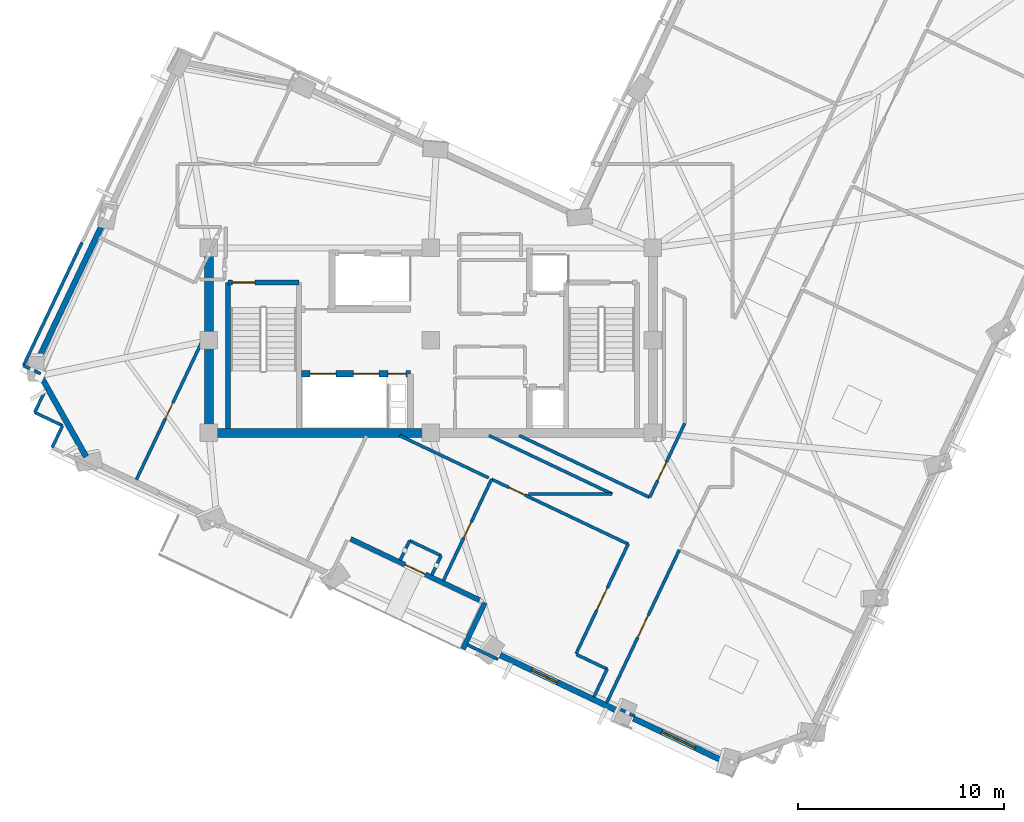
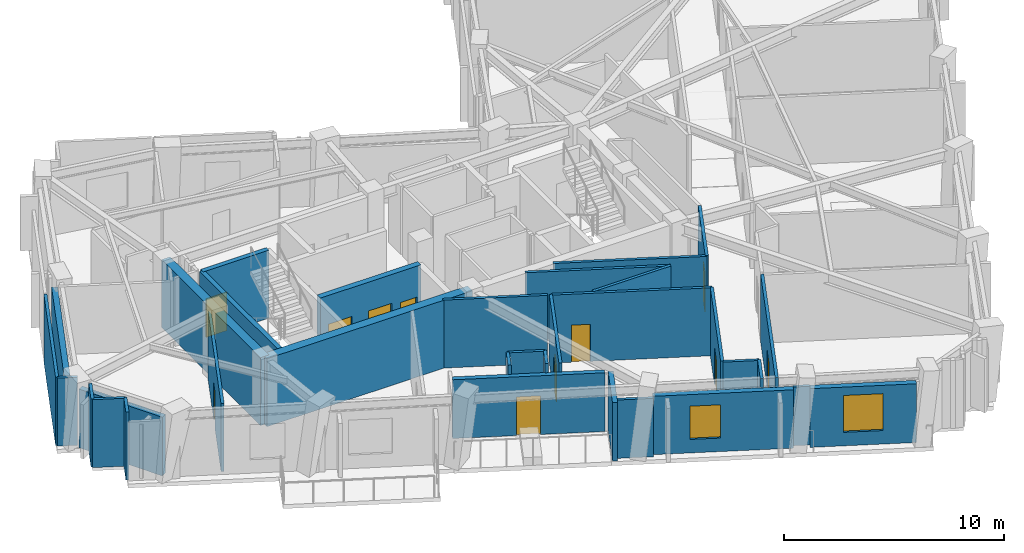
# One storey, part 5 of 13: 33 walls, 11 doors, 2 windows, 13 openings.
"""IFC4 building model written with IfcOpenShell, lengths in metres."""

from ifc_helpers import new_model, si_unit, direction, frame, frame_2d, origin, place, context, subcontext, project, spatial, rectangle, extrude, material, layer, layer_set, type_object, element, fill, save


model = new_model("IFC4")

# Units and contexts
model_context = context("Model", 3, precision=1e-05, world=origin(), true_north=direction((0.0, 1.0)))
body_context = subcontext(model_context, "Body", "Model", "MODEL_VIEW")
ifc_project = project(units=[si_unit("LENGTHUNIT", "METRE"), si_unit("AREAUNIT", "SQUARE_METRE"), si_unit("VOLUMEUNIT", "CUBIC_METRE"), si_unit("PLANEANGLEUNIT", "RADIAN"), si_unit("MASSUNIT", "GRAM", prefix="KILO")], contexts=[model_context])

# Site, building, storey
site_placement = place(None, origin())
site = spatial("IfcSite", under=ifc_project, at=site_placement, CompositionType="ELEMENT")
building_placement = place(site_placement, origin())
building = spatial("IfcBuilding", under=site, at=building_placement, Name="Gaonmaruhae Medical Tower", CompositionType="ELEMENT")
storey_placement = place(building_placement, frame((0.0, 0.0, 300.60009765625)))
storey = spatial("IfcBuildingStorey", under=building, at=storey_placement, Name="L72", CompositionType="ELEMENT", Elevation=300.60009765625)

# Walls
ifc_material_1 = material(Name="Concrete C50/60", Category="concrete")
ifc_layer_1 = layer(ifc_material_1, 0.449951171875)
ifc_layer_set_1 = layer_set([ifc_layer_1], Name="Concrete C50/60")
wall_type_1 = type_object("IfcWallType", Name="CW-450 Upper Core Shear Wall", PredefinedType="SHEAR", material=ifc_layer_set_1)
wall_1_placement = place(storey_placement, frame((14.0, 7.800048828125, 0.0), z_axis=(0.0, 0.0, 1.0), x_axis=(1.0, 0.0, 0.0)))
element("IfcWall", 1, at=wall_1_placement, inside=storey, type_object=wall_type_1, Name="L72 Core Shear Wall CSW-S1", PredefinedType="SHEAR", context=body_context, shape_type="SweptSolid", body=[
    extrude(rectangle(XDim=10.800048828125, YDim=0.449951171875, at=frame_2d((5.39990234375, 0.0))), origin(), (0.0, 0.0, 1.0), 3.77978515625),
])
wall_2_placement = place(storey_placement, frame((14.0, 16.800048828125, 0.0), z_axis=(0.0, 0.0, 1.0), x_axis=(0.0, -1.0, 0.0)))
element("IfcWall", 2, at=wall_2_placement, inside=storey, type_object=wall_type_1, Name="L72 Core Shear Wall CSW-W1", PredefinedType="SHEAR", context=body_context, shape_type="SweptSolid", body=[
    extrude(rectangle(XDim=9.0, YDim=0.449951171875, at=frame_2d((4.5, 0.0))), origin(), (0.0, 0.0, 1.0), 3.77978515625),
])

# Wall, opening, door
ifc_material_2 = material(Name="Precast concrete C45/55", Category="concrete")
ifc_layer_2 = layer(ifc_material_2, 0.239990234375)
ifc_layer_set_2 = layer_set([ifc_layer_2], Name="Precast concrete C45/55")
wall_type_2 = type_object("IfcWallType", Name="EW-240 Ribbon & Shelter Insulated Precast Wall", PredefinedType="SOLIDWALL", material=ifc_layer_set_2)
wall_3_placement = place(storey_placement, frame((27.177978515625, -0.3349609375, 0.0), z_axis=(0.0, 0.0, 1.0), x_axis=(-0.903341048246, 0.428923012385, 0.0)))
wall_3 = element("IfcWall", 3, at=wall_3_placement, inside=storey, type_object=wall_type_2, Name="L72 Recessed Terrace Enclosure Wall TERB", PredefinedType="SOLIDWALL", context=body_context, shape_type="SweptSolid", body=[
    extrude(rectangle(XDim=6.960205078125, YDim=0.239990234375, at=frame_2d((3.47998046875, 0.0))), origin(), (0.0, 0.0, 1.0), 3.264892578125),
])
opening_1_placement = place(wall_3_placement, frame((2.929931640625, 0.0, 0.0)))
opening_1 = element("IfcOpeningElement", 4, at=opening_1_placement, cuts=wall_3, Name="Opening TD-01", PredefinedType="OPENING", context=body_context, shape_type="SweptSolid", body=[
    extrude(rectangle(XDim=1.10009765625, YDim=2.14990234375, at=frame_2d((0.550048828125, 1.074951171875))), frame((0.0, 0.1298828125, 0.0), z_axis=(0.0, -1.0, 0.0), x_axis=(1.0, 0.0, 0.0)), (0.0, 0.0, 1.0), 0.260009765625),
])
ifc_material_3 = material(Name="Anodised aluminium and toughened safety glass", Category="aluminium")
door_type_1 = type_object("IfcDoorType", Name="TD-01 Terrace & Sky Garden Glazed Door 1100x2150", OperationType="NOTDEFINED", PredefinedType="DOOR", material=ifc_material_3)
door_1_placement = place(opening_1_placement, origin())
door_1 = element("IfcDoor", 5, at=door_1_placement, inside=storey, type_object=door_type_1, Name="L72 Outdoor Terrace Access Door SLB-L72-TER", OperationType="SINGLE_SWING_LEFT", OverallHeight=2.14990234375, OverallWidth=1.10009765625, PredefinedType="DOOR", context=body_context, shape_type="SweptSolid", body=[
    extrude(rectangle(XDim=1.10009765625, YDim=2.14990234375, at=frame_2d((0.550048828125, 1.074951171875))), frame((0.0, 0.02490234375, 0.0), z_axis=(0.0, -1.0, 0.0), x_axis=(1.0, 0.0, 0.0)), (0.0, 0.0, 1.0), 0.050048828125),
])
fill(opening_1, door_1)

# Walls
wall_4_placement = place(storey_placement, frame((26.3583984375, -2.71337890625, 0.0), z_axis=(0.0, 0.0, 1.0), x_axis=(0.428997055532, 0.903305887474, 0.0)))
element("IfcWall", 6, at=wall_4_placement, inside=storey, type_object=wall_type_2, Name="L72 Recessed Terrace Enclosure Wall TERL", PredefinedType="SOLIDWALL", context=body_context, shape_type="SweptSolid", body=[
    extrude(rectangle(XDim=2.5, YDim=0.239990234375, at=frame_2d((1.25, 0.0))), origin(), (0.0, 0.0, 1.0), 3.264892578125),
])
ifc_layer_3 = layer(ifc_material_2, 0.280029296875)
ifc_layer_set_3 = layer_set([ifc_layer_3], Name="Precast concrete C45/55")
wall_type_3 = type_object("IfcWallType", Name="EW-280 Upper Precast Masonry-Frame Facade Wall", PredefinedType="SOLIDWALL", material=ifc_layer_set_3)
wall_5_placement = place(storey_placement, frame((5.62060546875, 11.22021484375, 0.0), z_axis=(0.0, 0.0, 1.0), x_axis=(0.428933056581, 0.903336279008, 0.0)))
element("IfcWall", 7, at=wall_5_placement, inside=storey, type_object=wall_type_3, Name="L72 Precast Masonry-Frame Wall N02-N03", PredefinedType="SOLIDWALL", context=body_context, shape_type="SweptSolid", body=[
    extrude(rectangle(XDim=7.484619140625, YDim=0.280029296875, at=frame_2d((3.7421875, 0.0))), origin(), (0.0, 0.0, 1.0), 3.264892578125),
])
wall_6_placement = place(storey_placement, frame((8.02734375, 6.6435546875, 0.0), z_axis=(0.0, 0.0, 1.0), x_axis=(-0.490647729697, 0.871358023629, 0.0)))
element("IfcWall", 8, at=wall_6_placement, inside=storey, type_object=wall_type_3, Name="L72 Precast Masonry-Frame Wall N03-W01", PredefinedType="SOLIDWALL", context=body_context, shape_type="SweptSolid", body=[
    extrude(rectangle(XDim=4.408203125, YDim=0.280029296875, at=frame_2d((2.2041015625, 0.0))), origin(), (0.0, 0.0, 1.0), 3.264892578125),
])

# Wall, opening, window
wall_7_placement = place(storey_placement, frame((33.971923828125, -5.763916015625, 0.0), z_axis=(0.0, 0.0, 1.0), x_axis=(-0.903338978673, 0.42892737102, 0.0)))
wall_7 = element("IfcWall", 9, at=wall_7_placement, inside=storey, type_object=wall_type_3, Name="L72 Precast Masonry-Frame Wall W04-W05", PredefinedType="SOLIDWALL", context=body_context, shape_type="SweptSolid", body=[
    extrude(rectangle(XDim=6.425048828125, YDim=0.280029296875, at=frame_2d((3.21240234375, 0.0))), origin(), (0.0, 0.0, 1.0), 3.244873046875),
])
opening_2_placement = place(wall_7_placement, frame((3.33203125, 0.0, 0.75)))
opening_2 = element("IfcOpeningElement", 10, at=opening_2_placement, cuts=wall_7, Name="Opening WN-03", PredefinedType="OPENING", context=body_context, shape_type="SweptSolid", body=[
    extrude(rectangle(XDim=1.39990234375, YDim=1.85009765625, at=frame_2d((0.699951171875, 0.925048828125))), frame((0.0, 0.14990234375, 0.0), z_axis=(0.0, -1.0, 0.0), x_axis=(1.0, 0.0, 0.0)), (0.0, 0.0, 1.0), 0.300048828125),
])
ifc_material_4 = material(Name="Anodised aluminium and Low-E double glazing", Category="aluminium")
window_type_1 = type_object("IfcWindowType", Name="WN-03 Isolation Ward Punched Window 1400x1850", PartitioningType="SINGLE_PANEL", PredefinedType="WINDOW", material=ifc_material_4)
window_1_placement = place(opening_2_placement, origin())
window_1 = element("IfcWindow", 11, at=window_1_placement, inside=storey, type_object=window_type_1, Name="L72 Modular Facade Window W04", OverallHeight=1.85009765625, OverallWidth=1.39990234375, PartitioningType="SINGLE_PANEL", PredefinedType="WINDOW", context=body_context, shape_type="SweptSolid", body=[
    extrude(rectangle(XDim=1.39990234375, YDim=1.85009765625, at=frame_2d((0.699951171875, 0.925048828125))), frame((0.0, 0.030029296875, 0.0), z_axis=(0.0, -1.0, 0.0), x_axis=(1.0, 0.0, 0.0)), (0.0, 0.0, 1.0), 0.06005859375),
])
fill(opening_2, window_1)

wall_8_placement = place(storey_placement, frame((39.0458984375, -8.173095703125, 0.0), z_axis=(0.0, 0.0, 1.0), x_axis=(-0.903352514955, 0.428898861882, 0.0)))
wall_8 = element("IfcWall", 12, at=wall_8_placement, inside=storey, type_object=wall_type_3, Name="L72 Precast Masonry-Frame Wall W05-W06", PredefinedType="SOLIDWALL", context=body_context, shape_type="SweptSolid", body=[
    extrude(rectangle(XDim=4.85546875, YDim=0.280029296875, at=frame_2d((2.427734375, 0.0))), origin(), (0.0, 0.0, 1.0), 3.264892578125),
])
opening_3_placement = place(wall_8_placement, frame((1.53271484375, 0.0, 0.75)))
opening_3 = element("IfcOpeningElement", 13, at=opening_3_placement, cuts=wall_8, Name="Opening WN-04", PredefinedType="OPENING", context=body_context, shape_type="SweptSolid", body=[
    extrude(rectangle(XDim=1.800048828125, YDim=2.050048828125, at=frame_2d((0.89990234375, 1.02490234375))), frame((0.0, 0.14990234375, 0.0), z_axis=(0.0, -1.0, 0.0), x_axis=(1.0, 0.0, 0.0)), (0.0, 0.0, 1.0), 0.300048828125),
])
window_type_2 = type_object("IfcWindowType", Name="WN-04 Clinic & Consult Punched Window 1800x2050", PartitioningType="SINGLE_PANEL", PredefinedType="WINDOW", material=ifc_material_4)
window_2_placement = place(opening_3_placement, origin())
window_2 = element("IfcWindow", 14, at=window_2_placement, inside=storey, type_object=window_type_2, Name="L72 Modular Facade Window W05", OverallHeight=2.050048828125, OverallWidth=1.800048828125, PartitioningType="SINGLE_PANEL", PredefinedType="WINDOW", context=body_context, shape_type="SweptSolid", body=[
    extrude(rectangle(XDim=1.800048828125, YDim=2.050048828125, at=frame_2d((0.89990234375, 1.02490234375))), frame((0.0, 0.030029296875, 0.0), z_axis=(0.0, -1.0, 0.0), x_axis=(1.0, 0.0, 0.0)), (0.0, 0.0, 1.0), 0.06005859375),
])
fill(opening_3, window_2)

# Wall
ifc_material_5 = material(Name="Gypsum board partition", Category="gypsum")
ifc_layer_4 = layer(ifc_material_5, 0.14990234375)
ifc_layer_set_4 = layer_set([ifc_layer_4], Name="Gypsum board partition")
wall_type_4 = type_object("IfcWallType", Name="PW-150 Rated Clinical Corridor Partition", PredefinedType="PARTITIONING", material=ifc_layer_set_4)
wall_9_placement = place(storey_placement, frame((34.712890625, -5.97802734375, 0.0), z_axis=(0.0, 0.0, 1.0), x_axis=(-0.902860518824, 0.429933580392, 0.0)))
element("IfcWall", 15, at=wall_9_placement, inside=storey, type_object=wall_type_4, Name="L72 Interior Partition L72-SUP01-16", PredefinedType="PARTITIONING", context=body_context, shape_type="SweptSolid", body=[
    extrude(rectangle(XDim=0.760986328125, YDim=0.14990234375, at=frame_2d((0.38037109375, 0.0))), origin(), (0.0, 0.0, 1.0), 3.264892578125),
])

# Wall, opening, door
wall_10_placement = place(storey_placement, frame((33.35205078125, -5.3310546875, 0.0), z_axis=(0.0, 0.0, 1.0), x_axis=(0.428903895446, 0.903350125074, 0.0)))
wall_10 = element("IfcWall", 16, at=wall_10_placement, inside=storey, type_object=wall_type_4, Name="L72 Interior Partition L72-SUP01-17", PredefinedType="PARTITIONING", context=body_context, shape_type="SweptSolid", body=[
    extrude(rectangle(XDim=8.239501953125, YDim=0.14990234375, at=frame_2d((4.11962890625, 0.0))), origin(), (0.0, 0.0, 1.0), 3.77978515625),
])
opening_4_placement = place(wall_10_placement, frame((3.519775390625, 0.0, 0.0)))
opening_4 = element("IfcOpeningElement", 17, at=opening_4_placement, cuts=wall_10, Name="Opening CD-02", PredefinedType="OPENING", context=body_context, shape_type="SweptSolid", body=[
    extrude(rectangle(XDim=1.199951171875, YDim=2.14990234375, at=frame_2d((0.60009765625, 1.074951171875))), frame((0.0, 0.0849609375, 0.0), z_axis=(0.0, -1.0, 0.0), x_axis=(1.0, 0.0, 0.0)), (0.0, 0.0, 1.0), 0.169921875),
])
ifc_material_6 = material(Name="Antimicrobial laminate timber fire door", Category="wood")
door_type_2 = type_object("IfcDoorType", Name="CD-02 Clinical Treatment & Procedure Door 1200x2150", OperationType="NOTDEFINED", PredefinedType="DOOR", material=ifc_material_6)
door_2_placement = place(opening_4_placement, origin())
door_2 = element("IfcDoor", 18, at=door_2_placement, inside=storey, type_object=door_type_2, Name="L72 Clinical Biomedical Charting Office Door", OperationType="SINGLE_SWING_LEFT", OverallHeight=2.14990234375, OverallWidth=1.199951171875, PredefinedType="DOOR", context=body_context, shape_type="SweptSolid", body=[
    extrude(rectangle(XDim=1.199951171875, YDim=2.14990234375, at=frame_2d((0.60009765625, 1.074951171875))), frame((0.0, 0.02490234375, 0.0), z_axis=(0.0, -1.0, 0.0), x_axis=(1.0, 0.0, 0.0)), (0.0, 0.0, 1.0), 0.050048828125),
])
fill(opening_4, door_2)

# Walls
wall_11_placement = place(storey_placement, frame((31.87890625, -2.97705078125, 0.0), z_axis=(0.0, 0.0, 1.0), x_axis=(0.903328948319, -0.428948494728, 0.0)))
element("IfcWall", 19, at=wall_11_placement, inside=storey, type_object=wall_type_4, Name="L72 Interior Partition L72-WOF07-41", PredefinedType="PARTITIONING", context=body_context, shape_type="SweptSolid", body=[
    extrude(rectangle(XDim=1.655029296875, YDim=0.14990234375, at=frame_2d((0.82763671875, 0.0))), origin(), (0.0, 0.0, 1.0), 3.77978515625),
])
wall_12_placement = place(storey_placement, frame((33.3740234375, -3.68701171875, 0.0), z_axis=(0.0, 0.0, 1.0), x_axis=(-0.428811808966, -0.903393841296, 0.0)))
element("IfcWall", 20, at=wall_12_placement, inside=storey, type_object=wall_type_4, Name="L72 Interior Partition L72-WOF07-42", PredefinedType="PARTITIONING", context=body_context, shape_type="SweptSolid", body=[
    extrude(rectangle(XDim=1.504150390625, YDim=0.14990234375, at=frame_2d((0.751953125, 0.0))), origin(), (0.0, 0.0, 1.0), 3.77978515625),
])
wall_13_placement = place(storey_placement, frame((28.069091796875, -3.216064453125, 0.0), z_axis=(0.0, 0.0, 1.0), x_axis=(-0.903242012812, 0.429131525633, 0.0)))
element("IfcWall", 21, at=wall_13_placement, inside=storey, type_object=wall_type_4, Name="L72 Interior Partition L72-WOF07-43", PredefinedType="PARTITIONING", context=body_context, shape_type="SweptSolid", body=[
    extrude(rectangle(XDim=1.666259765625, YDim=0.14990234375, at=frame_2d((0.8330078125, 0.0))), origin(), (0.0, 0.0, 1.0), 3.244873046875),
])

# Wall, opening, door
wall_14_placement = place(storey_placement, frame((25.407958984375, 0.611083984375, 0.0), z_axis=(0.0, 0.0, 1.0), x_axis=(0.428894613003, 0.90335453225, 0.0)))
wall_14 = element("IfcWall", 22, at=wall_14_placement, inside=storey, type_object=wall_type_4, Name="L72 Interior Partition L72-WOF07-44", PredefinedType="PARTITIONING", context=body_context, shape_type="SweptSolid", body=[
    extrude(rectangle(XDim=5.465087890625, YDim=0.14990234375, at=frame_2d((2.732421875, 0.0))), origin(), (0.0, 0.0, 1.0), 3.77978515625),
])
opening_5_placement = place(wall_14_placement, frame((2.302490234375, 0.0, 0.0)))
opening_5 = element("IfcOpeningElement", 23, at=opening_5_placement, cuts=wall_14, Name="Opening AD-01", PredefinedType="OPENING", context=body_context, shape_type="SweptSolid", body=[
    extrude(rectangle(XDim=0.860107421875, YDim=2.06005859375, at=frame_2d((0.43017578125, 1.030029296875))), frame((0.0, 0.0849609375, 0.0), z_axis=(0.0, -1.0, 0.0), x_axis=(1.0, 0.0, 0.0)), (0.0, 0.0, 1.0), 0.169921875),
])
ifc_material_7 = material(Name="Powder-coated steel access door", Category="steel")
door_type_3 = type_object("IfcDoorType", Name="AD-01 Riser & Closet Access Fire Door 860x2060", OperationType="NOTDEFINED", PredefinedType="DOOR", material=ifc_material_7)
door_3_placement = place(opening_5_placement, origin())
door_3 = element("IfcDoor", 24, at=door_3_placement, inside=storey, type_object=door_type_3, Name="L72 Ward Physician Reporting Office Sliding Door", OperationType="SLIDING_TO_LEFT", OverallHeight=2.06005859375, OverallWidth=0.860107421875, PredefinedType="DOOR", context=body_context, shape_type="SweptSolid", body=[
    extrude(rectangle(XDim=0.860107421875, YDim=2.06005859375, at=frame_2d((0.43017578125, 1.030029296875))), frame((0.0, 0.02490234375, 0.0), z_axis=(0.0, -1.0, 0.0), x_axis=(1.0, 0.0, 0.0)), (0.0, 0.0, 1.0), 0.050048828125),
])
fill(opening_5, door_3)

wall_15_placement = place(storey_placement, frame((27.751953125, 5.548095703125, 0.0), z_axis=(0.0, 0.0, 1.0), x_axis=(0.903324453773, -0.42895795973, 0.0)))
wall_15 = element("IfcWall", 25, at=wall_15_placement, inside=storey, type_object=wall_type_4, Name="L72 Interior Partition L72-WOF07-45", PredefinedType="PARTITIONING", context=body_context, shape_type="SweptSolid", body=[
    extrude(rectangle(XDim=7.35498046875, YDim=0.14990234375, at=frame_2d((3.677490234375, 0.0))), origin(), (0.0, 0.0, 1.0), 3.77978515625),
])
opening_6_placement = place(wall_15_placement, frame((0.932861328125, 0.0, 0.0)))
opening_6 = element("IfcOpeningElement", 26, at=opening_6_placement, cuts=wall_15, Name="Opening AD-01", PredefinedType="OPENING", context=body_context, shape_type="SweptSolid", body=[
    extrude(rectangle(XDim=0.860107421875, YDim=2.06005859375, at=frame_2d((0.43017578125, 1.030029296875))), frame((0.0, 0.0849609375, 0.0), z_axis=(0.0, -1.0, 0.0), x_axis=(1.0, 0.0, 0.0)), (0.0, 0.0, 1.0), 0.169921875),
])
door_4_placement = place(opening_6_placement, origin())
door_4 = element("IfcDoor", 27, at=door_4_placement, inside=storey, type_object=door_type_3, Name="L72 Clinical Case Review Office Sliding Door", OperationType="SLIDING_TO_LEFT", OverallHeight=2.06005859375, OverallWidth=0.860107421875, PredefinedType="DOOR", context=body_context, shape_type="SweptSolid", body=[
    extrude(rectangle(XDim=0.860107421875, YDim=2.06005859375, at=frame_2d((0.43017578125, 1.030029296875))), frame((0.0, 0.02490234375, 0.0), z_axis=(0.0, -1.0, 0.0), x_axis=(1.0, 0.0, 0.0)), (0.0, 0.0, 1.0), 0.050048828125),
])
fill(opening_6, door_4)

wall_16_placement = place(storey_placement, frame((34.39599609375, 2.39306640625, 0.0), z_axis=(0.0, 0.0, 1.0), x_axis=(-0.428891472211, -0.903356023429, 0.0)))
wall_16 = element("IfcWall", 28, at=wall_16_placement, inside=storey, type_object=wall_type_4, Name="L72 Interior Partition L72-WOF07-46", PredefinedType="PARTITIONING", context=body_context, shape_type="SweptSolid", body=[
    extrude(rectangle(XDim=5.903564453125, YDim=0.14990234375, at=frame_2d((2.95166015625, 0.0))), origin(), (0.0, 0.0, 1.0), 3.77978515625),
])
opening_7_placement = place(wall_16_placement, frame((2.351806640625, 0.0, 0.0)))
opening_7 = element("IfcOpeningElement", 29, at=opening_7_placement, cuts=wall_16, Name="Opening CD-02", PredefinedType="OPENING", context=body_context, shape_type="SweptSolid", body=[
    extrude(rectangle(XDim=1.199951171875, YDim=2.14990234375, at=frame_2d((0.60009765625, 1.074951171875))), frame((0.0, 0.0849609375, 0.0), z_axis=(0.0, -1.0, 0.0), x_axis=(1.0, 0.0, 0.0)), (0.0, 0.0, 1.0), 0.169921875),
])
door_5_placement = place(opening_7_placement, origin())
door_5 = element("IfcDoor", 30, at=door_5_placement, inside=storey, type_object=door_type_2, Name="L72 Ward Physician Reporting Office Door", OperationType="SINGLE_SWING_RIGHT", OverallHeight=2.14990234375, OverallWidth=1.199951171875, PredefinedType="DOOR", context=body_context, shape_type="SweptSolid", body=[
    extrude(rectangle(XDim=1.199951171875, YDim=2.14990234375, at=frame_2d((0.60009765625, 1.074951171875))), frame((0.0, 0.02490234375, 0.0), z_axis=(0.0, -1.0, 0.0), x_axis=(1.0, 0.0, 0.0)), (0.0, 0.0, 1.0), 0.050048828125),
])
fill(opening_7, door_5)

# Walls
wall_17_placement = place(storey_placement, frame((24.843017578125, 0.87890625, 0.0), z_axis=(0.0, 0.0, 1.0), x_axis=(0.428414640887, 0.903582257171, 0.0)))
element("IfcWall", 31, at=wall_17_placement, inside=storey, type_object=wall_type_4, Name="L72 Interior Partition L72-WOF08-47", PredefinedType="PARTITIONING", context=body_context, shape_type="SweptSolid", body=[
    extrude(rectangle(XDim=1.054931640625, YDim=0.14990234375, at=frame_2d((0.52734375, 0.0))), origin(), (0.0, 0.0, 1.0), 3.77978515625),
])
wall_18_placement = place(storey_placement, frame((25.294921875, 1.83203125, 0.0), z_axis=(0.0, 0.0, 1.0), x_axis=(-0.903295600518, 0.429018715309, 0.0)))
element("IfcWall", 32, at=wall_18_placement, inside=storey, type_object=wall_type_4, Name="L72 Interior Partition L72-WOF08-48", PredefinedType="PARTITIONING", context=body_context, shape_type="SweptSolid", body=[
    extrude(rectangle(XDim=1.69921875, YDim=0.14990234375, at=frame_2d((0.849609375, 0.0))), origin(), (0.0, 0.0, 1.0), 3.77978515625),
])
wall_19_placement = place(storey_placement, frame((23.760009765625, 2.56103515625, 0.0), z_axis=(0.0, 0.0, 1.0), x_axis=(-0.429358789068, -0.903134004592, 0.0)))
element("IfcWall", 33, at=wall_19_placement, inside=storey, type_object=wall_type_4, Name="L72 Interior Partition L72-WOF08-49", PredefinedType="PARTITIONING", context=body_context, shape_type="SweptSolid", body=[
    extrude(rectangle(XDim=1.055419921875, YDim=0.14990234375, at=frame_2d((0.52783203125, 0.0))), origin(), (0.0, 0.0, 1.0), 3.77978515625),
])
wall_20_placement = place(storey_placement, frame((23.27197265625, 7.675048828125, 0.0), z_axis=(0.0, 0.0, 1.0), x_axis=(0.903279475918, -0.429052663882, 0.0)))
element("IfcWall", 34, at=wall_20_placement, inside=storey, type_object=wall_type_4, Name="L72 Interior Partition L72-WOF08-52", PredefinedType="PARTITIONING", context=body_context, shape_type="SweptSolid", body=[
    extrude(rectangle(XDim=4.799072265625, YDim=0.14990234375, at=frame_2d((2.3994140625, 0.0))), origin(), (0.0, 0.0, 1.0), 3.77978515625),
])

# Wall, opening, door
wall_21_placement = place(storey_placement, frame((10.469970703125, 5.52294921875, 0.0), z_axis=(0.0, 0.0, 1.0), x_axis=(0.42903605121, 0.903287366657, 0.0)))
wall_21 = element("IfcWall", 35, at=wall_21_placement, inside=storey, type_object=wall_type_4, Name="L72 Interior Partition L72-WOF09-54", PredefinedType="PARTITIONING", context=body_context, shape_type="SweptSolid", body=[
    extrude(rectangle(XDim=7.43505859375, YDim=0.14990234375, at=frame_2d((3.717529296875, 0.0))), origin(), (0.0, 0.0, 1.0), 3.77978515625),
])
opening_8_placement = place(wall_21_placement, frame((3.28759765625, 0.0, 0.0)))
opening_8 = element("IfcOpeningElement", 36, at=opening_8_placement, cuts=wall_21, Name="Opening AD-01", PredefinedType="OPENING", context=body_context, shape_type="SweptSolid", body=[
    extrude(rectangle(XDim=0.860107421875, YDim=2.06005859375, at=frame_2d((0.43017578125, 1.030029296875))), frame((0.0, 0.0849609375, 0.0), z_axis=(0.0, -1.0, 0.0), x_axis=(1.0, 0.0, 0.0)), (0.0, 0.0, 1.0), 0.169921875),
])
door_6_placement = place(opening_8_placement, origin())
door_6 = element("IfcDoor", 37, at=door_6_placement, inside=storey, type_object=door_type_3, Name="L72 Ward Physician Reporting Office Sliding Door", OperationType="SLIDING_TO_LEFT", OverallHeight=2.06005859375, OverallWidth=0.860107421875, PredefinedType="DOOR", context=body_context, shape_type="SweptSolid", body=[
    extrude(rectangle(XDim=0.860107421875, YDim=2.06005859375, at=frame_2d((0.43017578125, 1.030029296875))), frame((0.0, 0.02490234375, 0.0), z_axis=(0.0, -1.0, 0.0), x_axis=(1.0, 0.0, 0.0)), (0.0, 0.0, 1.0), 0.050048828125),
])
fill(opening_8, door_6)

# Walls
wall_22_placement = place(storey_placement, frame((5.52197265625, 8.797119140625, 0.0), z_axis=(0.0, 0.0, 1.0), x_axis=(0.428747179251, 0.903424516096, 0.0)))
element("IfcWall", 38, at=wall_22_placement, inside=storey, type_object=wall_type_4, Name="L72 Interior Partition L72-WOF10-55", PredefinedType="PARTITIONING", context=body_context, shape_type="SweptSolid", body=[
    extrude(rectangle(XDim=1.238525390625, YDim=0.14990234375, at=frame_2d((0.619140625, 0.0))), origin(), (0.0, 0.0, 1.0), 3.77978515625),
])
wall_23_placement = place(storey_placement, frame((6.3701171875, 7.087890625, 0.0), z_axis=(0.0, 0.0, 1.0), x_axis=(0.429339431614, 0.903143207061, 0.0)))
element("IfcWall", 39, at=wall_23_placement, inside=storey, type_object=wall_type_4, Name="L72 Interior Partition L72-WOF10-59", PredefinedType="PARTITIONING", context=body_context, shape_type="SweptSolid", body=[
    extrude(rectangle(XDim=1.180419921875, YDim=0.14990234375, at=frame_2d((0.59033203125, 0.0))), origin(), (0.0, 0.0, 1.0), 3.77978515625),
])
wall_24_placement = place(storey_placement, frame((6.876953125, 8.154052734375, 0.0), z_axis=(0.0, 0.0, 1.0), x_axis=(-0.90341939824, 0.428757963056, 0.0)))
element("IfcWall", 40, at=wall_24_placement, inside=storey, type_object=wall_type_4, Name="L72 Interior Partition L72-WOF10-60", PredefinedType="PARTITIONING", context=body_context, shape_type="SweptSolid", body=[
    extrude(rectangle(XDim=1.499755859375, YDim=0.14990234375, at=frame_2d((0.75, 0.0))), origin(), (0.0, 0.0, 1.0), 3.77978515625),
])
wall_25_placement = place(storey_placement, frame((35.44091796875, 4.6640625, 0.0), z_axis=(0.0, 0.0, 1.0), x_axis=(-0.903352966439, 0.42889791096, 0.0)))
element("IfcWall", 41, at=wall_25_placement, inside=storey, type_object=wall_type_4, Name="L72 Interior Partition L72-IE01-61", PredefinedType="PARTITIONING", context=body_context, shape_type="SweptSolid", body=[
    extrude(rectangle(XDim=7.020263671875, YDim=0.14990234375, at=frame_2d((3.51025390625, 0.0))), origin(), (0.0, 0.0, 1.0), 3.77978515625),
])

# Wall, opening, door
wall_26_placement = place(storey_placement, frame((37.14990234375, 8.262939453125, 0.0), z_axis=(0.0, 0.0, 1.0), x_axis=(-0.428958064464, -0.903324404038, 0.0)))
wall_26 = element("IfcWall", 42, at=wall_26_placement, inside=storey, type_object=wall_type_4, Name="L72 Interior Partition L72-IE01-66", PredefinedType="PARTITIONING", context=body_context, shape_type="SweptSolid", body=[
    extrude(rectangle(XDim=3.984130859375, YDim=0.14990234375, at=frame_2d((1.9921875, 0.0))), origin(), (0.0, 0.0, 1.0), 3.77978515625),
])
opening_9_placement = place(wall_26_placement, frame((2.073974609375, 0.0, 0.0)))
opening_9 = element("IfcOpeningElement", 43, at=opening_9_placement, cuts=wall_26, Name="Opening CD-01", PredefinedType="OPENING", context=body_context, shape_type="SweptSolid", body=[
    extrude(rectangle(XDim=1.0, YDim=2.1201171875, at=frame_2d((0.5, 1.06005859375))), frame((0.0, 0.0849609375, 0.0), z_axis=(0.0, -1.0, 0.0), x_axis=(1.0, 0.0, 0.0)), (0.0, 0.0, 1.0), 0.169921875),
])
door_type_4 = type_object("IfcDoorType", Name="CD-01 Consultation & Physician Office Door 1000x2120", OperationType="NOTDEFINED", PredefinedType="DOOR", material=ifc_material_6)
door_7_placement = place(opening_9_placement, origin())
door_7 = element("IfcDoor", 44, at=door_7_placement, inside=storey, type_object=door_type_4, Name="L72 Central Clinical Nurse Station Door", OperationType="SINGLE_SWING_RIGHT", OverallHeight=2.1201171875, OverallWidth=1.0, PredefinedType="DOOR", context=body_context, shape_type="SweptSolid", body=[
    extrude(rectangle(XDim=1.0, YDim=2.1201171875, at=frame_2d((0.5, 1.06005859375))), frame((0.0, 0.02490234375, 0.0), z_axis=(0.0, -1.0, 0.0), x_axis=(1.0, 0.0, 0.0)), (0.0, 0.0, 1.0), 0.050048828125),
])
fill(opening_9, door_7)

# Walls
wall_27_placement = place(storey_placement, frame((27.6298828125, 7.675048828125, 0.0), z_axis=(0.0, 0.0, 1.0), x_axis=(0.903354516737, -0.428894645678, 0.0)))
element("IfcWall", 45, at=wall_27_placement, inside=storey, type_object=wall_type_4, Name="L72 Interior Partition L72-RM01-100", PredefinedType="PARTITIONING", context=body_context, shape_type="SweptSolid", body=[
    extrude(rectangle(XDim=6.63330078125, YDim=0.14990234375, at=frame_2d((3.316650390625, 0.0))), origin(), (0.0, 0.0, 1.0), 3.77978515625),
])
wall_28_placement = place(storey_placement, frame((33.6220703125, 4.830078125, 0.0), z_axis=(0.0, 0.0, 1.0), x_axis=(-1.0, 0.0, 0.0)))
element("IfcWall", 46, at=wall_28_placement, inside=storey, type_object=wall_type_4, Name="L72 Interior Partition L72-RM01-101", PredefinedType="PARTITIONING", context=body_context, shape_type="SweptSolid", body=[
    extrude(rectangle(XDim=4.066162109375, YDim=0.14990234375, at=frame_2d((2.033203125, 0.0))), origin(), (0.0, 0.0, 1.0), 3.77978515625),
])
wall_29_placement = place(storey_placement, frame((5.81396484375, 10.68408203125, 0.0), z_axis=(0.0, 0.0, 1.0), x_axis=(-0.903123932355, 0.429379974856, 0.0)))
element("IfcWall", 47, at=wall_29_placement, inside=storey, type_object=wall_type_4, Name="L72 Interior Partition L72-RM02-102", PredefinedType="PARTITIONING", context=body_context, shape_type="SweptSolid", body=[
    extrude(rectangle(XDim=0.924560546875, YDim=0.14990234375, at=frame_2d((0.46240234375, 0.0))), origin(), (0.0, 0.0, 1.0), 3.77978515625),
])
wall_30_placement = place(storey_placement, frame((4.97900390625, 11.0810546875, 0.0), z_axis=(0.0, 0.0, 1.0), x_axis=(0.428912807324, 0.903345893727, 0.0)))
element("IfcWall", 48, at=wall_30_placement, inside=storey, type_object=wall_type_4, Name="L72 Interior Partition L72-RM02-103", PredefinedType="PARTITIONING", context=body_context, shape_type="SweptSolid", body=[
    extrude(rectangle(XDim=6.639892578125, YDim=0.14990234375, at=frame_2d((3.31982421875, 0.0))), origin(), (0.0, 0.0, 1.0), 3.77978515625),
])

# Wall, opening, door
ifc_layer_5 = layer(ifc_material_1, 0.239990234375)
ifc_layer_set_5 = layer_set([ifc_layer_5], Name="Concrete C50/60")
wall_type_5 = type_object("IfcWallType", Name="SW-240 Dogleg Stair Tight Shaft Wall", PredefinedType="SOLIDWALL", material=ifc_layer_set_5)
wall_31_placement = place(storey_placement, frame((14.919921875, 15.1201171875, 0.0), z_axis=(0.0, 0.0, 1.0), x_axis=(1.0, 0.0, 0.0)))
wall_31 = element("IfcWall", 49, at=wall_31_placement, inside=storey, type_object=wall_type_5, Name="L72 ST-01 Stair Shaft Wall SHW-ST-01-N", PredefinedType="SOLIDWALL", context=body_context, shape_type="SweptSolid", body=[
    extrude(rectangle(XDim=3.4599609375, YDim=0.239990234375, at=frame_2d((1.72998046875, 0.0))), origin(), (0.0, 0.0, 1.0), 3.77978515625),
])
opening_10_placement = place(wall_31_placement, frame((0.219970703125, 0.0, 0.0)))
opening_10 = element("IfcOpeningElement", 50, at=opening_10_placement, cuts=wall_31, Name="Opening FD-01", PredefinedType="OPENING", context=body_context, shape_type="SweptSolid", body=[
    extrude(rectangle(XDim=1.10009765625, YDim=2.14990234375, at=frame_2d((0.550048828125, 1.074951171875))), frame((0.0, 0.1298828125, 0.0), z_axis=(0.0, -1.0, 0.0), x_axis=(1.0, 0.0, 0.0)), (0.0, 0.0, 1.0), 0.260009765625),
])
ifc_material_8 = material(Name="Powder-coated steel fire door", Category="steel")
door_type_5 = type_object("IfcDoorType", Name="FD-01 Escape Stair Protected Fire Door 1100x2150", OperationType="NOTDEFINED", PredefinedType="DOOR", material=ifc_material_8)
door_8_placement = place(opening_10_placement, origin())
door_8 = element("IfcDoor", 51, at=door_8_placement, inside=storey, type_object=door_type_5, Name="L72 ST-01 Protected Escape Stair Door", OperationType="SINGLE_SWING_LEFT", OverallHeight=2.14990234375, OverallWidth=1.10009765625, PredefinedType="DOOR", context=body_context, shape_type="SweptSolid", body=[
    extrude(rectangle(XDim=1.10009765625, YDim=2.14990234375, at=frame_2d((0.550048828125, 1.074951171875))), frame((0.0, 0.02490234375, 0.0), z_axis=(0.0, -1.0, 0.0), x_axis=(1.0, 0.0, 0.0)), (0.0, 0.0, 1.0), 0.050048828125),
])
fill(opening_10, door_8)

# Wall
wall_32_placement = place(storey_placement, frame((14.919921875, 8.02490234375, 0.0), z_axis=(0.0, 0.0, 1.0), x_axis=(0.0, 1.0, 0.0)))
element("IfcWall", 52, at=wall_32_placement, inside=storey, type_object=wall_type_5, Name="L72 ST-01 Stair Shaft Wall SHW-ST-01-W", PredefinedType="SOLIDWALL", context=body_context, shape_type="SweptSolid", body=[
    extrude(rectangle(XDim=7.09521484375, YDim=0.239990234375, at=frame_2d((3.547607421875, 0.0))), origin(), (0.0, 0.0, 1.0), 3.77978515625),
])

# Wall, openings, doors
ifc_layer_6 = layer(ifc_material_1, 0.300048828125)
ifc_layer_set_6 = layer_set([ifc_layer_6], Name="Concrete C50/60")
wall_type_6 = type_object("IfcWallType", Name="SW-300 Stair & Lift Hoistway Shaft Wall", PredefinedType="SOLIDWALL", material=ifc_layer_set_6)
wall_33_placement = place(storey_placement, frame((18.5, 10.679931640625, 0.0), z_axis=(0.0, 0.0, 1.0), x_axis=(1.0, 0.0, 0.0)))
wall_33 = element("IfcWall", 53, at=wall_33_placement, inside=storey, type_object=wall_type_6, Name="L72 Shaft Enclosure Wall SHW-FFN", PredefinedType="SOLIDWALL", context=body_context, shape_type="SweptSolid", body=[
    extrude(rectangle(XDim=5.300048828125, YDim=0.300048828125, at=frame_2d((2.64990234375, 0.0))), origin(), (0.0, 0.0, 1.0), 3.77978515625),
])
opening_11_placement = place(wall_33_placement, frame((4.219970703125, 0.0, 0.0)))
opening_11 = element("IfcOpeningElement", 54, at=opening_11_placement, cuts=wall_33, Name="Opening AD-01", PredefinedType="OPENING", context=body_context, shape_type="SweptSolid", body=[
    extrude(rectangle(XDim=0.860107421875, YDim=2.06005859375, at=frame_2d((0.43017578125, 1.030029296875))), frame((0.0, 0.16015625, 0.0), z_axis=(0.0, -1.0, 0.0), x_axis=(1.0, 0.0, 0.0)), (0.0, 0.0, 1.0), 0.320068359375),
])
opening_12_placement = place(wall_33_placement, frame((0.425048828125, 0.0, 0.0)))
opening_12 = element("IfcOpeningElement", 55, at=opening_12_placement, cuts=wall_33, Name="Opening LD-F1", PredefinedType="OPENING", context=body_context, shape_type="SweptSolid", body=[
    extrude(rectangle(XDim=1.25, YDim=2.179931640625, at=frame_2d((0.625, 1.08984375))), frame((0.0, 0.16015625, 0.0), z_axis=(0.0, -1.0, 0.0), x_axis=(1.0, 0.0, 0.0)), (0.0, 0.0, 1.0), 0.320068359375),
])
opening_13_placement = place(wall_33_placement, frame((2.52490234375, 0.0, 0.0)))
opening_13 = element("IfcOpeningElement", 56, at=opening_13_placement, cuts=wall_33, Name="Opening LD-F1", PredefinedType="OPENING", context=body_context, shape_type="SweptSolid", body=[
    extrude(rectangle(XDim=1.25, YDim=2.179931640625, at=frame_2d((0.625, 1.08984375))), frame((0.0, 0.16015625, 0.0), z_axis=(0.0, -1.0, 0.0), x_axis=(1.0, 0.0, 0.0)), (0.0, 0.0, 1.0), 0.320068359375),
])
door_9_placement = place(opening_11_placement, origin())
door_9 = element("IfcDoor", 57, at=door_9_placement, inside=storey, type_object=door_type_3, Name="L72 Medical Gas and MEP Riser Access Door", OperationType="SINGLE_SWING_RIGHT", OverallHeight=2.06005859375, OverallWidth=0.860107421875, PredefinedType="DOOR", context=body_context, shape_type="SweptSolid", body=[
    extrude(rectangle(XDim=0.860107421875, YDim=2.06005859375, at=frame_2d((0.43017578125, 1.030029296875))), frame((0.0, 0.02490234375, 0.0), z_axis=(0.0, -1.0, 0.0), x_axis=(1.0, 0.0, 0.0)), (0.0, 0.0, 1.0), 0.050048828125),
])
fill(opening_11, door_9)
ifc_material_9 = material(Name="Brushed stainless steel 316L landing door", Category="steel")
door_type_6 = type_object("IfcDoorType", Name="LD-F1 Firefighting & Bed Lift Sliding Landing Door 1250x2180", OperationType="NOTDEFINED", PredefinedType="DOOR", material=ifc_material_9)
door_10_placement = place(opening_12_placement, origin())
door_10 = element("IfcDoor", 58, at=door_10_placement, inside=storey, type_object=door_type_6, Name="L72 Firefighting Lift Landing Door FFL-01", OperationType="DOUBLE_DOOR_SLIDING", OverallHeight=2.179931640625, OverallWidth=1.25, PredefinedType="DOOR", context=body_context, shape_type="SweptSolid", body=[
    extrude(rectangle(XDim=1.25, YDim=2.179931640625, at=frame_2d((0.625, 1.08984375))), frame((0.0, 0.02490234375, 0.0), z_axis=(0.0, -1.0, 0.0), x_axis=(1.0, 0.0, 0.0)), (0.0, 0.0, 1.0), 0.050048828125),
])
fill(opening_12, door_10)
door_11_placement = place(opening_13_placement, origin())
door_11 = element("IfcDoor", 59, at=door_11_placement, inside=storey, type_object=door_type_6, Name="L72 Firefighting Lift Landing Door FFL-02", OperationType="DOUBLE_DOOR_SLIDING", OverallHeight=2.179931640625, OverallWidth=1.25, PredefinedType="DOOR", context=body_context, shape_type="SweptSolid", body=[
    extrude(rectangle(XDim=1.25, YDim=2.179931640625, at=frame_2d((0.625, 1.08984375))), frame((0.0, 0.02490234375, 0.0), z_axis=(0.0, -1.0, 0.0), x_axis=(1.0, 0.0, 0.0)), (0.0, 0.0, 1.0), 0.050048828125),
])
fill(opening_13, door_11)

save(model, "model.ifc")
